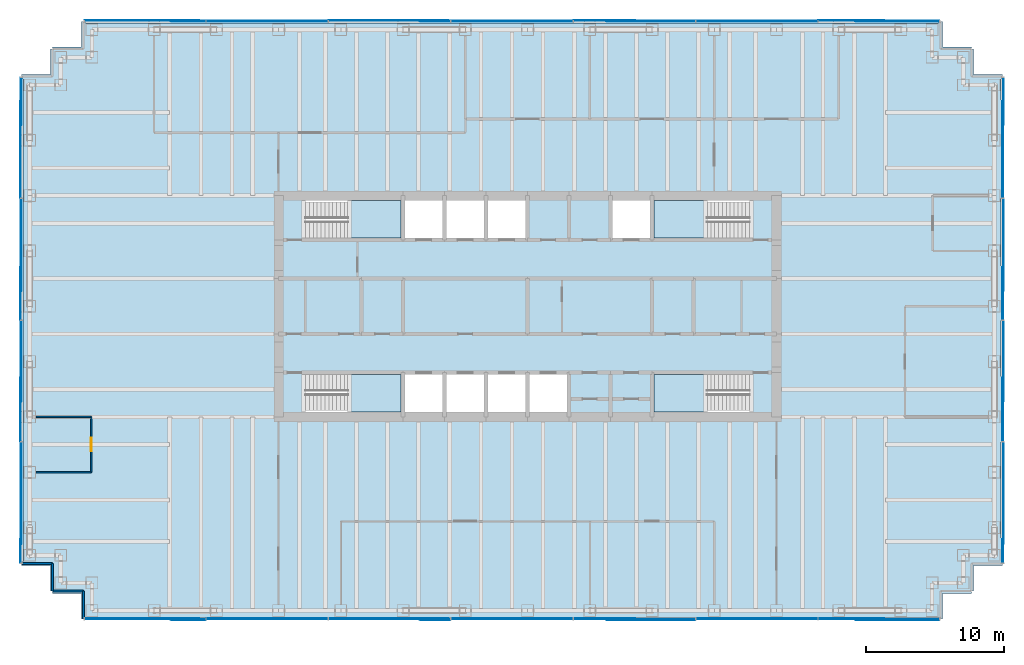
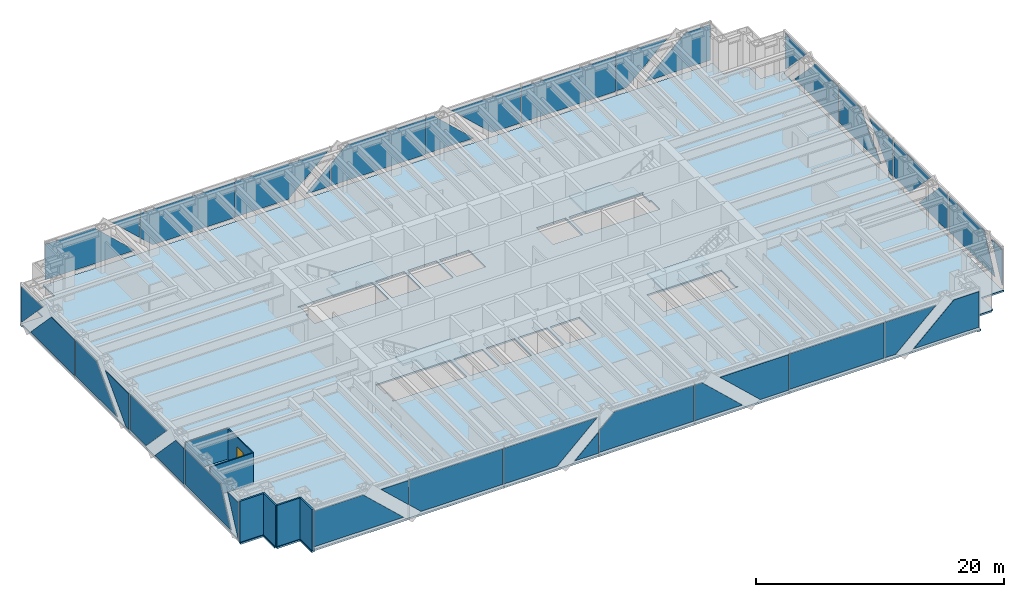
# One storey, part 10 of 15: 38 plates, 7 walls, 5 slabs, 1 door, 1 opening, 8 elements without a shape of their own.
"""IFC4 building model written with IfcOpenShell, lengths in metres."""

from ifc_helpers import new_model, si_unit, direction, frame, frame_2d, origin, origin_2d, place, context, subcontext, project, spatial, polyline, rectangle, outline, extrude, material, layer, layer_set, type_object, element, fill, aggregate, save


model = new_model("IFC4")

# Units and contexts
model_context = context("Model", 3, precision=1e-05, world=origin(), true_north=direction((0.0, 1.0)))
body_context = subcontext(model_context, "Body", "Model", "MODEL_VIEW")
ifc_project = project(units=[si_unit("LENGTHUNIT", "METRE"), si_unit("AREAUNIT", "SQUARE_METRE"), si_unit("VOLUMEUNIT", "CUBIC_METRE"), si_unit("PLANEANGLEUNIT", "RADIAN"), si_unit("MASSUNIT", "GRAM", prefix="KILO")], contexts=[model_context])

# Site, building, storey
site_placement = place(None, origin())
site = spatial("IfcSite", under=ifc_project, at=site_placement, CompositionType="ELEMENT")
building_placement = place(site_placement, origin())
building = spatial("IfcBuilding", under=site, at=building_placement, Name="Rheinbord Bourse Tower", CompositionType="ELEMENT")
storey_placement = place(building_placement, frame((0.0, 0.0, 296.300048828125)))
storey = spatial("IfcBuildingStorey", under=building, at=storey_placement, Name="L67", CompositionType="ELEMENT", Elevation=296.300048828125)

# Slab
ifc_material_1 = material(Name="Concrete C30/37", Category="concrete")
ifc_layer_1 = layer(ifc_material_1, 0.159912109375)
ifc_layer_set_1 = layer_set([ifc_layer_1], Name="COMPOSITE FLOOR SLAB 160")
slab_type_1 = type_object("IfcSlabType", Name="COMPOSITE FLOOR SLAB 160", PredefinedType="FLOOR", material=ifc_layer_set_1)
slab_1_placement = place(storey_placement, frame((0.0, 0.0, -0.16015625)))
element("IfcSlab", 1, at=slab_1_placement, inside=storey, type_object=slab_type_1, Name="Floor slab L67", PredefinedType="FLOOR", context=body_context, shape_type="SweptSolid", body=[
    extrude(outline(polyline([(1.64990234375, 3.39990234375), (1.5, 3.39990234375), (1.5, 5.25), (-0.60009765625, 5.25), (-0.60009765625, 5.550048828125), (-0.5, 5.550048828125), (-0.5, 40.449951171875), (-0.60009765625, 40.449951171875), (-0.60009765625, 40.75), (1.5, 40.75), (1.5, 42.60009765625), (1.64990234375, 42.60009765625), (1.64990234375, 42.75), (3.75, 42.75), (3.75, 44.60009765625), (4.050048828125, 44.60009765625), (4.050048828125, 44.5), (65.699951171875, 44.5), (65.699951171875, 44.60009765625), (66.0, 44.60009765625), (66.0, 42.75), (68.10009765625, 42.75), (68.10009765625, 42.60009765625), (68.25, 42.60009765625), (68.25, 40.75), (70.35009765625, 40.75), (70.35009765625, 40.449951171875), (70.25, 40.449951171875), (70.25, 5.550048828125), (70.35009765625, 5.550048828125), (70.35009765625, 5.25), (68.25, 5.25), (68.25, 3.39990234375), (68.10009765625, 3.39990234375), (68.10009765625, 3.25), (66.0, 3.25), (66.0, 1.39990234375), (65.699951171875, 1.39990234375), (65.699951171875, 1.5), (4.050048828125, 1.5), (4.050048828125, 1.39990234375), (3.75, 1.39990234375), (3.75, 3.25), (1.64990234375, 3.25), (1.64990234375, 3.39990234375)]), holes=[polyline([(19.949951171875, 19.050048828125), (26.85009765625, 19.050048828125), (26.85009765625, 16.35009765625), (19.949951171875, 16.35009765625), (19.949951171875, 16.449951171875), (20.10009765625, 16.449951171875), (20.10009765625, 17.64990234375), (19.949951171875, 17.64990234375), (19.949951171875, 19.050048828125)]), polyline([(19.949951171875, 31.64990234375), (26.85009765625, 31.64990234375), (26.85009765625, 28.949951171875), (19.949951171875, 28.949951171875), (19.949951171875, 30.35009765625), (20.10009765625, 30.35009765625), (20.10009765625, 31.550048828125), (19.949951171875, 31.550048828125), (19.949951171875, 31.64990234375)]), polyline([(52.050048828125, 16.35009765625), (45.14990234375, 16.35009765625), (45.14990234375, 19.050048828125), (52.050048828125, 19.050048828125), (52.050048828125, 17.64990234375), (51.89990234375, 17.64990234375), (51.89990234375, 16.449951171875), (52.050048828125, 16.449951171875), (52.050048828125, 16.35009765625)]), polyline([(52.050048828125, 28.949951171875), (45.14990234375, 28.949951171875), (45.14990234375, 31.64990234375), (52.050048828125, 31.64990234375), (52.050048828125, 31.550048828125), (51.89990234375, 31.550048828125), (51.89990234375, 30.35009765625), (52.050048828125, 30.35009765625), (52.050048828125, 28.949951171875)]), polyline([(27.14990234375, 16.35009765625), (27.14990234375, 19.050048828125), (29.85009765625, 19.050048828125), (29.85009765625, 16.35009765625), (27.14990234375, 16.35009765625)]), polyline([(27.14990234375, 28.949951171875), (27.14990234375, 31.64990234375), (29.85009765625, 31.64990234375), (29.85009765625, 28.949951171875), (27.14990234375, 28.949951171875)]), polyline([(30.14990234375, 16.35009765625), (30.14990234375, 19.050048828125), (32.85009765625, 19.050048828125), (32.85009765625, 16.35009765625), (30.14990234375, 16.35009765625)]), polyline([(30.14990234375, 28.949951171875), (30.14990234375, 31.64990234375), (32.85009765625, 31.64990234375), (32.85009765625, 28.949951171875), (30.14990234375, 28.949951171875)]), polyline([(33.14990234375, 16.35009765625), (33.14990234375, 19.050048828125), (35.85009765625, 19.050048828125), (35.85009765625, 16.35009765625), (33.14990234375, 16.35009765625)]), polyline([(33.14990234375, 28.949951171875), (33.14990234375, 31.64990234375), (35.85009765625, 31.64990234375), (35.85009765625, 28.949951171875), (33.14990234375, 28.949951171875)]), polyline([(36.14990234375, 16.35009765625), (36.14990234375, 19.050048828125), (38.85009765625, 19.050048828125), (38.85009765625, 16.35009765625), (36.14990234375, 16.35009765625)]), polyline([(42.14990234375, 28.949951171875), (42.14990234375, 31.64990234375), (44.85009765625, 31.64990234375), (44.85009765625, 28.949951171875), (42.14990234375, 28.949951171875)])]), origin(), (0.0, 0.0, 1.0), 0.16015625),
])

# Curtain wall, plates
ifc_material_2 = material(Name="Dark glass and black aluminium", Category="aluminium")
curtain_wall_type = type_object("IfcCurtainWallType", Name="CW3 DARK GLASS CURTAIN WALL", PredefinedType="USERDEFINED", material=ifc_material_2)
curtain_wall_1_placement = place(storey_placement, origin())
curtain_wall_1 = element("IfcCurtainWall", 2, at=curtain_wall_1_placement, inside=storey, type_object=curtain_wall_type, Name="Curtain wall CW3 S L67", ObjectType="UNITISED CURTAIN WALL", PredefinedType="USERDEFINED")
ifc_material_3 = material(Name="Dark tinted triple insulating glass", Category="glass")
ifc_layer_2 = layer(ifc_material_3, 0.055908203125)
ifc_layer_set_2 = layer_set([ifc_layer_2], Name="CW3 DARK GLASS PANEL")
plate_type = type_object("IfcPlateType", Name="CW3 DARK GLASS PANEL", PredefinedType="CURTAIN_PANEL", material=ifc_layer_set_2)
plate_1_placement = place(storey_placement, frame((52.574951171875, 1.39990234375, 0.349853515625), z_axis=(0.0, 0.0, 1.0), x_axis=(1.0, 0.0, 0.0)))
plate_1 = element("IfcPlate", 3, at=plate_1_placement, type_object=plate_type, Name="CW3 panel 6.1", PredefinedType="CURTAIN_PANEL", context=body_context, shape_type="SweptSolid", body=[
    extrude(rectangle(XDim=8.784912109375, YDim=0.055908203125, at=origin_2d()), origin(), (0.0, 0.0, 1.0), 3.5),
])
plate_2_placement = place(storey_placement, frame((3.965087890625, 1.3720703125, 0.349853515625), z_axis=(0.0, 1.0, 0.0), x_axis=(0.0, 0.0, 1.0)))
plate_2 = element("IfcPlate", 4, at=plate_2_placement, type_object=plate_type, Name="CW3 glass facet 1", PredefinedType="CURTAIN_PANEL", context=body_context, shape_type="SweptSolid", body=[
    extrude(outline(polyline([(0.0, 0.0), (3.5, 0.0), (3.5, 4.597900390625), (0.0, 8.347900390625), (0.0, 0.0)])), origin(), (0.0, 0.0, 1.0), 0.055908203125),
])
plate_3_placement = place(storey_placement, frame((12.717041015625, 1.31103515625, 3.849853515625), z_axis=(0.0, 1.0, 0.0), x_axis=(0.0, 0.0, -1.0)))
plate_3 = element("IfcPlate", 5, at=plate_3_placement, type_object=plate_type, Name="CW3 glass facet 2", PredefinedType="CURTAIN_PANEL", context=body_context, shape_type="SweptSolid", body=[
    extrude(outline(polyline([(0.0, 0.0), (2.36181640625, 0.0), (0.0, 2.530029296875), (0.0, 0.0)])), origin(), (0.0, 0.0, 1.0), 0.055908203125),
])
plate_4_placement = place(storey_placement, frame((12.782958984375, 1.3720703125, 3.849853515625), z_axis=(0.0, 1.0, 0.0), x_axis=(1.0, 0.0, 0.0)))
plate_4 = element("IfcPlate", 6, at=plate_4_placement, type_object=plate_type, Name="CW3 glass facet 1", PredefinedType="CURTAIN_PANEL", context=body_context, shape_type="SweptSolid", body=[
    extrude(outline(polyline([(0.0, 0.0), (8.783935546875, 0.0), (8.783935546875, 3.5), (1.154052734375, 3.5), (0.0, 2.4228515625), (0.0, 0.0)])), origin(), (0.0, 0.0, 1.0), 0.055908203125),
])
plate_5_placement = place(storey_placement, frame((21.633056640625, 1.3720703125, 0.349853515625), z_axis=(0.0, 1.0, 0.0), x_axis=(0.0, 0.0, 1.0)))
plate_5 = element("IfcPlate", 7, at=plate_5_placement, type_object=plate_type, Name="CW3 glass facet 1", PredefinedType="CURTAIN_PANEL", context=body_context, shape_type="SweptSolid", body=[
    extrude(outline(polyline([(0.0, 0.0), (3.5, 0.0), (3.5, 8.679931640625), (0.0, 4.929931640625), (0.0, 0.0)])), origin(), (0.0, 0.0, 1.0), 0.055908203125),
])
plate_6_placement = place(storey_placement, frame((30.4169921875, 1.31103515625, 0.349853515625), z_axis=(0.0, 1.0, 0.0), x_axis=(-1.0, 0.0, 0.0)))
plate_6 = element("IfcPlate", 8, at=plate_6_placement, type_object=plate_type, Name="CW3 glass facet 2", PredefinedType="CURTAIN_PANEL", context=body_context, shape_type="SweptSolid", body=[
    extrude(outline(polyline([(0.0, 0.0), (2.22998046875, 0.0), (0.0, 2.08203125), (0.0, 0.0)])), origin(), (0.0, 0.0, 1.0), 0.055908203125),
])
plate_7_placement = place(storey_placement, frame((39.26806640625, 1.3720703125, 3.849853515625), z_axis=(0.0, 1.0, 0.0), x_axis=(0.0, 0.0, -1.0)))
plate_7 = element("IfcPlate", 9, at=plate_7_placement, type_object=plate_type, Name="CW3 glass facet 1", PredefinedType="CURTAIN_PANEL", context=body_context, shape_type="SweptSolid", body=[
    extrude(outline(polyline([(0.0, 0.0), (3.5, 0.0), (3.5, 8.7861328125), (1.35693359375, 8.7861328125), (0.0, 7.3310546875), (0.0, 0.0)])), origin(), (0.0, 0.0, 1.0), 0.055908203125),
])
plate_8_placement = place(storey_placement, frame((39.3330078125, 1.3720703125, 0.349853515625), z_axis=(0.0, 1.0, 0.0), x_axis=(0.0, 0.0, 1.0)))
plate_8 = element("IfcPlate", 10, at=plate_8_placement, type_object=plate_type, Name="CW3 glass facet 1", PredefinedType="CURTAIN_PANEL", context=body_context, shape_type="SweptSolid", body=[
    extrude(outline(polyline([(0.0, 0.0), (3.5, 0.0), (3.5, 0.72998046875), (0.0, 4.47998046875), (0.0, 0.0)])), origin(), (0.0, 0.0, 1.0), 0.055908203125),
])
plate_9_placement = place(storey_placement, frame((48.116943359375, 1.31103515625, 3.849853515625), z_axis=(0.0, 1.0, 0.0), x_axis=(0.0, 0.0, -1.0)))
plate_9 = element("IfcPlate", 11, at=plate_9_placement, type_object=plate_type, Name="CW3 glass facet 2", PredefinedType="CURTAIN_PANEL", context=body_context, shape_type="SweptSolid", body=[
    extrude(outline(polyline([(0.0, 0.0), (3.5, 0.0), (3.5, 2.679931640625), (0.0, 6.429931640625), (0.0, 0.0)])), origin(), (0.0, 0.0, 1.0), 0.055908203125),
])
plate_10_placement = place(storey_placement, frame((57.031982421875, 1.3720703125, 0.349853515625), z_axis=(0.0, 1.0, 0.0), x_axis=(0.0, 0.0, 1.0)))
plate_10 = element("IfcPlate", 12, at=plate_10_placement, type_object=plate_type, Name="CW3 glass facet 1", PredefinedType="CURTAIN_PANEL", context=body_context, shape_type="SweptSolid", body=[
    extrude(outline(polyline([(0.0, 0.0), (3.5, 0.0), (3.5, 4.781005859375), (0.0, 1.031005859375), (0.0, 0.0)])), origin(), (0.0, 0.0, 1.0), 0.055908203125),
])
plate_11_placement = place(storey_placement, frame((65.784912109375, 1.31103515625, 3.849853515625), z_axis=(0.0, 1.0, 0.0), x_axis=(0.0, 0.0, -1.0)))
plate_11 = element("IfcPlate", 13, at=plate_11_placement, type_object=plate_type, Name="CW3 glass facet 2", PredefinedType="CURTAIN_PANEL", context=body_context, shape_type="SweptSolid", body=[
    extrude(outline(polyline([(0.0, 0.0), (3.5, 0.0), (3.5, 6.097900390625), (0.0, 2.347900390625), (0.0, 0.0)])), origin(), (0.0, 0.0, 1.0), 0.055908203125),
])
aggregate(curtain_wall_1, [plate_1, plate_2, plate_3, plate_4, plate_5, plate_6, plate_7, plate_8, plate_9, plate_10, plate_11])

curtain_wall_2_placement = place(storey_placement, origin())
curtain_wall_2 = element("IfcCurtainWall", 14, at=curtain_wall_2_placement, inside=storey, type_object=curtain_wall_type, Name="Curtain wall CW3 E L67", ObjectType="UNITISED CURTAIN WALL", PredefinedType="USERDEFINED")
plate_12_placement = place(storey_placement, frame((70.3779296875, 5.465087890625, 0.349853515625), z_axis=(-1.0, 0.0, 0.0), x_axis=(0.0, 0.0, 1.0)))
plate_12 = element("IfcPlate", 15, at=plate_12_placement, type_object=plate_type, Name="CW3 glass facet 1", PredefinedType="CURTAIN_PANEL", context=body_context, shape_type="SweptSolid", body=[
    extrude(outline(polyline([(0.0, 0.0), (3.5, 0.0), (3.5, 1.7548828125), (0.0, 0.087890625), (0.0, 0.0)])), origin(), (0.0, 0.0, 1.0), 0.055908203125),
])
plate_13_placement = place(storey_placement, frame((70.43896484375, 14.16796875, 3.849853515625), z_axis=(-1.0, 0.0, 0.0), x_axis=(0.0, 0.0, -1.0)))
plate_13 = element("IfcPlate", 16, at=plate_13_placement, type_object=plate_type, Name="CW3 glass facet 2", PredefinedType="CURTAIN_PANEL", context=body_context, shape_type="SweptSolid", body=[
    extrude(outline(polyline([(0.0, 0.0), (3.5, 0.0), (3.5, 7.387939453125), (0.0, 5.720947265625), (0.0, 0.0)])), origin(), (0.0, 0.0, 1.0), 0.055908203125),
])
plate_14_placement = place(storey_placement, frame((70.3779296875, 14.23193359375, 0.349853515625), z_axis=(-1.0, 0.0, 0.0), x_axis=(0.0, 0.0, 1.0)))
plate_14 = element("IfcPlate", 17, at=plate_14_placement, type_object=plate_type, Name="CW3 glass facet 1", PredefinedType="CURTAIN_PANEL", context=body_context, shape_type="SweptSolid", body=[
    extrude(outline(polyline([(0.0, 0.0), (3.5, 0.0), (3.5, 1.336181640625), (0.0, 4.670166015625), (0.0, 0.0)])), origin(), (0.0, 0.0, 1.0), 0.055908203125),
])
plate_15_placement = place(storey_placement, frame((70.43896484375, 22.968017578125, 3.849853515625), z_axis=(-1.0, 0.0, 0.0), x_axis=(0.0, 0.0, -1.0)))
plate_15 = element("IfcPlate", 18, at=plate_15_placement, type_object=plate_type, Name="CW3 glass facet 2", PredefinedType="CURTAIN_PANEL", context=body_context, shape_type="SweptSolid", body=[
    extrude(outline(polyline([(0.0, 0.0), (3.5, 0.0), (3.5, 2.5361328125), (0.0, 5.8701171875), (0.0, 0.0)])), origin(), (0.0, 0.0, 1.0), 0.055908203125),
])
plate_16_placement = place(storey_placement, frame((70.3779296875, 23.031982421875, 0.349853515625), z_axis=(-1.0, 0.0, 0.0), x_axis=(0.0, 0.0, 1.0)))
plate_16 = element("IfcPlate", 19, at=plate_16_placement, type_object=plate_type, Name="CW3 glass facet 1", PredefinedType="CURTAIN_PANEL", context=body_context, shape_type="SweptSolid", body=[
    extrude(outline(polyline([(0.0, 0.0), (3.5, 0.0), (3.5, 3.8701171875), (0.0, 0.5361328125), (0.0, 0.0)])), origin(), (0.0, 0.0, 1.0), 0.055908203125),
])
plate_17_placement = place(storey_placement, frame((70.43896484375, 31.76708984375, 3.849853515625), z_axis=(-1.0, 0.0, 0.0), x_axis=(0.0, 0.0, -1.0)))
plate_17 = element("IfcPlate", 20, at=plate_17_placement, type_object=plate_type, Name="CW3 glass facet 2", PredefinedType="CURTAIN_PANEL", context=body_context, shape_type="SweptSolid", body=[
    extrude(outline(polyline([(0.0, 0.0), (3.5, 0.0), (3.5, 6.669189453125), (0.0, 3.335205078125), (0.0, 0.0)])), origin(), (0.0, 0.0, 1.0), 0.055908203125),
])
plate_18_placement = place(storey_placement, frame((70.3779296875, 31.8330078125, 0.349853515625), z_axis=(-1.0, 0.0, 0.0), x_axis=(0.0, 0.0, 1.0)))
plate_18 = element("IfcPlate", 21, at=plate_18_placement, type_object=plate_type, Name="CW3 glass facet 1", PredefinedType="CURTAIN_PANEL", context=body_context, shape_type="SweptSolid", body=[
    extrude(outline(polyline([(0.0, 0.0), (3.5, 0.0), (3.5, 3.735107421875), (0.0, 7.069091796875), (0.0, 0.0)])), origin(), (0.0, 0.0, 1.0), 0.055908203125),
])
plate_19_placement = place(storey_placement, frame((70.43896484375, 40.534912109375, 3.849853515625), z_axis=(-1.0, 0.0, 0.0), x_axis=(0.0, 0.0, -1.0)))
plate_19 = element("IfcPlate", 22, at=plate_19_placement, type_object=plate_type, Name="CW3 glass facet 2", PredefinedType="CURTAIN_PANEL", context=body_context, shape_type="SweptSolid", body=[
    extrude(outline(polyline([(0.0, 0.0), (3.5, 0.0), (3.5, 0.10302734375), (0.0, 3.43701171875), (0.0, 0.0)])), origin(), (0.0, 0.0, 1.0), 0.055908203125),
])
aggregate(curtain_wall_2, [plate_12, plate_13, plate_14, plate_15, plate_16, plate_17, plate_18, plate_19])

curtain_wall_3_placement = place(storey_placement, origin())
curtain_wall_3 = element("IfcCurtainWall", 23, at=curtain_wall_3_placement, inside=storey, type_object=curtain_wall_type, Name="Curtain wall CW3 N L67", ObjectType="UNITISED CURTAIN WALL", PredefinedType="USERDEFINED")
plate_20_placement = place(storey_placement, frame((52.574951171875, 44.60009765625, 0.349853515625), z_axis=(0.0, 0.0, 1.0), x_axis=(-1.0, 0.0, 0.0)))
plate_20 = element("IfcPlate", 24, at=plate_20_placement, type_object=plate_type, Name="CW3 panel 2.1", PredefinedType="CURTAIN_PANEL", context=body_context, shape_type="SweptSolid", body=[
    extrude(rectangle(XDim=8.784912109375, YDim=0.055908203125, at=origin_2d()), origin(), (0.0, 0.0, 1.0), 3.5),
])
plate_21_placement = place(storey_placement, frame((65.784912109375, 44.6279296875, 0.349853515625), z_axis=(0.0, -1.0, 0.0), x_axis=(0.0, 0.0, 1.0)))
plate_21 = element("IfcPlate", 25, at=plate_21_placement, type_object=plate_type, Name="CW3 glass facet 1", PredefinedType="CURTAIN_PANEL", context=body_context, shape_type="SweptSolid", body=[
    extrude(outline(polyline([(0.0, 0.0), (3.5, 0.0), (3.5, 2.347900390625), (0.0, 6.097900390625), (0.0, 0.0)])), origin(), (0.0, 0.0, 1.0), 0.055908203125),
])
plate_22_placement = place(storey_placement, frame((57.031982421875, 44.68896484375, 3.849853515625), z_axis=(0.0, -1.0, 0.0), x_axis=(0.0, 0.0, -1.0)))
plate_22 = element("IfcPlate", 26, at=plate_22_placement, type_object=plate_type, Name="CW3 glass facet 2", PredefinedType="CURTAIN_PANEL", context=body_context, shape_type="SweptSolid", body=[
    extrude(outline(polyline([(0.0, 0.0), (3.5, 0.0), (3.5, 1.031005859375), (0.0, 4.781005859375), (0.0, 0.0)])), origin(), (0.0, 0.0, 1.0), 0.055908203125),
])
plate_23_placement = place(storey_placement, frame((48.116943359375, 44.6279296875, 0.349853515625), z_axis=(0.0, -1.0, 0.0), x_axis=(0.0, 0.0, 1.0)))
plate_23 = element("IfcPlate", 27, at=plate_23_placement, type_object=plate_type, Name="CW3 glass facet 1", PredefinedType="CURTAIN_PANEL", context=body_context, shape_type="SweptSolid", body=[
    extrude(outline(polyline([(0.0, 0.0), (3.5, 0.0), (3.5, 6.429931640625), (0.0, 2.679931640625), (0.0, 0.0)])), origin(), (0.0, 0.0, 1.0), 0.055908203125),
])
plate_24_placement = place(storey_placement, frame((39.33203125, 44.68896484375, 3.849853515625), z_axis=(0.0, -1.0, 0.0), x_axis=(0.0, 0.0, -1.0)))
plate_24 = element("IfcPlate", 28, at=plate_24_placement, type_object=plate_type, Name="CW3 glass facet 2", PredefinedType="CURTAIN_PANEL", context=body_context, shape_type="SweptSolid", body=[
    extrude(outline(polyline([(0.0, 0.0), (3.5, 0.0), (3.5, 4.48095703125), (0.0, 0.73095703125), (0.0, 0.0)])), origin(), (0.0, 0.0, 1.0), 0.055908203125),
])
plate_25_placement = place(storey_placement, frame((30.48291015625, 44.6279296875, 0.349853515625), z_axis=(0.0, -1.0, 0.0), x_axis=(1.0, 0.0, 0.0)))
plate_25 = element("IfcPlate", 29, at=plate_25_placement, type_object=plate_type, Name="CW3 glass facet 1", PredefinedType="CURTAIN_PANEL", context=body_context, shape_type="SweptSolid", body=[
    extrude(outline(polyline([(0.0, 0.0), (8.7841796875, 0.0), (8.7841796875, 3.5), (1.4541015625, 3.5), (0.0, 2.14306640625), (0.0, 0.0)])), origin(), (0.0, 0.0, 1.0), 0.055908203125),
])
plate_26_placement = place(storey_placement, frame((30.4169921875, 44.6279296875, 0.349853515625), z_axis=(0.0, -1.0, 0.0), x_axis=(0.0, 0.0, 1.0)))
plate_26 = element("IfcPlate", 30, at=plate_26_placement, type_object=plate_type, Name="CW3 glass facet 1", PredefinedType="CURTAIN_PANEL", context=body_context, shape_type="SweptSolid", body=[
    extrude(outline(polyline([(0.0, 0.0), (2.08203125, 0.0), (0.0, 2.22998046875), (0.0, 0.0)])), origin(), (0.0, 0.0, 1.0), 0.055908203125),
])
plate_27_placement = place(storey_placement, frame((21.632080078125, 44.68896484375, 3.849853515625), z_axis=(0.0, -1.0, 0.0), x_axis=(0.0, 0.0, -1.0)))
plate_27 = element("IfcPlate", 31, at=plate_27_placement, type_object=plate_type, Name="CW3 glass facet 2", PredefinedType="CURTAIN_PANEL", context=body_context, shape_type="SweptSolid", body=[
    extrude(outline(polyline([(0.0, 0.0), (3.5, 0.0), (3.5, 4.930908203125), (0.0, 8.680908203125), (0.0, 0.0)])), origin(), (0.0, 0.0, 1.0), 0.055908203125),
])
plate_28_placement = place(storey_placement, frame((21.56689453125, 44.6279296875, 0.349853515625), z_axis=(0.0, -1.0, 0.0), x_axis=(0.0, 0.0, 1.0)))
plate_28 = element("IfcPlate", 32, at=plate_28_placement, type_object=plate_type, Name="CW3 glass facet 1", PredefinedType="CURTAIN_PANEL", context=body_context, shape_type="SweptSolid", body=[
    extrude(outline(polyline([(0.0, 0.0), (3.5, 0.0), (3.5, 8.784912109375), (1.0771484375, 8.784912109375), (0.0, 7.6298828125), (0.0, 0.0)])), origin(), (0.0, 0.0, 1.0), 0.055908203125),
])
plate_29_placement = place(storey_placement, frame((12.718017578125, 44.6279296875, 3.849853515625), z_axis=(0.0, -1.0, 0.0), x_axis=(-1.0, 0.0, 0.0)))
plate_29 = element("IfcPlate", 33, at=plate_29_placement, type_object=plate_type, Name="CW3 glass facet 1", PredefinedType="CURTAIN_PANEL", context=body_context, shape_type="SweptSolid", body=[
    extrude(outline(polyline([(0.0, 0.0), (2.531005859375, 0.0), (0.0, 2.36181640625), (0.0, 0.0)])), origin(), (0.0, 0.0, 1.0), 0.055908203125),
])
plate_30_placement = place(storey_placement, frame((3.965087890625, 44.68896484375, 3.849853515625), z_axis=(0.0, -1.0, 0.0), x_axis=(0.0, 0.0, -1.0)))
plate_30 = element("IfcPlate", 34, at=plate_30_placement, type_object=plate_type, Name="CW3 glass facet 2", PredefinedType="CURTAIN_PANEL", context=body_context, shape_type="SweptSolid", body=[
    extrude(outline(polyline([(0.0, 0.0), (3.5, 0.0), (3.5, 8.347900390625), (0.0, 4.597900390625), (0.0, 0.0)])), origin(), (0.0, 0.0, 1.0), 0.055908203125),
])
aggregate(curtain_wall_3, [plate_20, plate_21, plate_22, plate_23, plate_24, plate_25, plate_26, plate_27, plate_28, plate_29, plate_30])

curtain_wall_4_placement = place(storey_placement, origin())
curtain_wall_4 = element("IfcCurtainWall", 35, at=curtain_wall_4_placement, inside=storey, type_object=curtain_wall_type, Name="Curtain wall CW3 W L67", ObjectType="UNITISED CURTAIN WALL", PredefinedType="USERDEFINED")
plate_31_placement = place(storey_placement, frame((-0.6279296875, 40.534912109375, 0.349853515625), z_axis=(1.0, 0.0, 0.0), x_axis=(0.0, 0.0, 1.0)))
plate_31 = element("IfcPlate", 36, at=plate_31_placement, type_object=plate_type, Name="CW3 glass facet 1", PredefinedType="CURTAIN_PANEL", context=body_context, shape_type="SweptSolid", body=[
    extrude(outline(polyline([(0.0, 0.0), (3.5, 0.0), (3.5, 3.43701171875), (0.0, 0.10302734375), (0.0, 0.0)])), origin(), (0.0, 0.0, 1.0), 0.055908203125),
])
plate_32_placement = place(storey_placement, frame((-0.68896484375, 31.8330078125, 3.849853515625), z_axis=(1.0, 0.0, 0.0), x_axis=(0.0, 0.0, -1.0)))
plate_32 = element("IfcPlate", 37, at=plate_32_placement, type_object=plate_type, Name="CW3 glass facet 2", PredefinedType="CURTAIN_PANEL", context=body_context, shape_type="SweptSolid", body=[
    extrude(outline(polyline([(0.0, 0.0), (3.5, 0.0), (3.5, 7.069091796875), (0.0, 3.735107421875), (0.0, 0.0)])), origin(), (0.0, 0.0, 1.0), 0.055908203125),
])
plate_33_placement = place(storey_placement, frame((-0.6279296875, 31.76708984375, 0.349853515625), z_axis=(1.0, 0.0, 0.0), x_axis=(0.0, 0.0, 1.0)))
plate_33 = element("IfcPlate", 38, at=plate_33_placement, type_object=plate_type, Name="CW3 glass facet 1", PredefinedType="CURTAIN_PANEL", context=body_context, shape_type="SweptSolid", body=[
    extrude(outline(polyline([(0.0, 0.0), (3.5, 0.0), (3.5, 3.335205078125), (0.0, 6.669189453125), (0.0, 0.0)])), origin(), (0.0, 0.0, 1.0), 0.055908203125),
])
plate_34_placement = place(storey_placement, frame((-0.68896484375, 23.031982421875, 3.849853515625), z_axis=(1.0, 0.0, 0.0), x_axis=(0.0, 0.0, -1.0)))
plate_34 = element("IfcPlate", 39, at=plate_34_placement, type_object=plate_type, Name="CW3 glass facet 2", PredefinedType="CURTAIN_PANEL", context=body_context, shape_type="SweptSolid", body=[
    extrude(outline(polyline([(0.0, 0.0), (3.5, 0.0), (3.5, 0.5361328125), (0.0, 3.8701171875), (0.0, 0.0)])), origin(), (0.0, 0.0, 1.0), 0.055908203125),
])
plate_35_placement = place(storey_placement, frame((-0.6279296875, 22.968017578125, 0.349853515625), z_axis=(1.0, 0.0, 0.0), x_axis=(0.0, 0.0, 1.0)))
plate_35 = element("IfcPlate", 40, at=plate_35_placement, type_object=plate_type, Name="CW3 glass facet 1", PredefinedType="CURTAIN_PANEL", context=body_context, shape_type="SweptSolid", body=[
    extrude(outline(polyline([(0.0, 0.0), (3.5, 0.0), (3.5, 5.8701171875), (0.0, 2.5361328125), (0.0, 0.0)])), origin(), (0.0, 0.0, 1.0), 0.055908203125),
])
plate_36_placement = place(storey_placement, frame((-0.68896484375, 14.23291015625, 3.849853515625), z_axis=(1.0, 0.0, 0.0), x_axis=(0.0, 0.0, -1.0)))
plate_36 = element("IfcPlate", 41, at=plate_36_placement, type_object=plate_type, Name="CW3 glass facet 2", PredefinedType="CURTAIN_PANEL", context=body_context, shape_type="SweptSolid", body=[
    extrude(outline(polyline([(0.0, 0.0), (3.5, 0.0), (3.5, 4.669189453125), (0.0, 1.335205078125), (0.0, 0.0)])), origin(), (0.0, 0.0, 1.0), 0.055908203125),
])
plate_37_placement = place(storey_placement, frame((-0.6279296875, 14.1669921875, 0.349853515625), z_axis=(1.0, 0.0, 0.0), x_axis=(0.0, 0.0, 1.0)))
plate_37 = element("IfcPlate", 42, at=plate_37_placement, type_object=plate_type, Name="CW3 glass facet 1", PredefinedType="CURTAIN_PANEL", context=body_context, shape_type="SweptSolid", body=[
    extrude(outline(polyline([(0.0, 0.0), (3.5, 0.0), (3.5, 5.719970703125), (0.0, 7.386962890625), (0.0, 0.0)])), origin(), (0.0, 0.0, 1.0), 0.055908203125),
])
plate_38_placement = place(storey_placement, frame((-0.68896484375, 5.465087890625, 3.849853515625), z_axis=(1.0, 0.0, 0.0), x_axis=(0.0, 0.0, -1.0)))
plate_38 = element("IfcPlate", 43, at=plate_38_placement, type_object=plate_type, Name="CW3 glass facet 2", PredefinedType="CURTAIN_PANEL", context=body_context, shape_type="SweptSolid", body=[
    extrude(outline(polyline([(0.0, 0.0), (3.5, 0.0), (3.5, 0.087890625), (0.0, 1.7548828125), (0.0, 0.0)])), origin(), (0.0, 0.0, 1.0), 0.055908203125),
])
aggregate(curtain_wall_4, [plate_31, plate_32, plate_33, plate_34, plate_35, plate_36, plate_37, plate_38])

# Stair, slab
ifc_material_4 = material(Name="Concrete C30/37", Category="concrete")
stair_type = type_object("IfcStairType", Name="CORE STAIR HALF TURN 4200", PredefinedType="HALF_TURN_STAIR", material=ifc_material_4)
stair_1_placement = place(storey_placement, origin())
stair_1 = element("IfcStair", 44, at=stair_1_placement, inside=storey, type_object=stair_type, Name="Stair ST1 L67, type CS6", PredefinedType="HALF_TURN_STAIR")
ifc_material_5 = material(Name="Concrete C30/37", Category="concrete")
ifc_layer_3 = layer(ifc_material_5, 0.199951171875)
ifc_layer_set_3 = layer_set([ifc_layer_3], Name="STAIR LANDING 200")
slab_type_2 = type_object("IfcSlabType", Name="STAIR LANDING 200", PredefinedType="LANDING", material=ifc_layer_set_3)
slab_2_placement = place(storey_placement, frame((0.0, 0.0, 1.89990234375)))
slab_2 = element("IfcSlab", 45, at=slab_2_placement, type_object=slab_type_2, Name="Half landing ST1 L67", PredefinedType="LANDING", context=body_context, shape_type="SweptSolid", body=[
    extrude(outline(polyline([(23.030029296875, 16.35009765625), (26.85009765625, 16.35009765625), (26.85009765625, 19.050048828125), (21.748046875, 19.050048828125), (21.748046875, 17.85009765625), (23.030029296875, 17.85009765625), (23.030029296875, 16.35009765625)])), origin(), (0.0, 0.0, 1.0), 0.199951171875),
])
aggregate(stair_1, [slab_2])

stair_2_placement = place(storey_placement, origin())
stair_2 = element("IfcStair", 46, at=stair_2_placement, inside=storey, type_object=stair_type, Name="Stair ST2 L67, type CS6", PredefinedType="HALF_TURN_STAIR")
slab_3_placement = place(storey_placement, frame((0.0, 0.0, 1.89990234375)))
slab_3 = element("IfcSlab", 47, at=slab_3_placement, type_object=slab_type_2, Name="Half landing ST2 L67", PredefinedType="LANDING", context=body_context, shape_type="SweptSolid", body=[
    extrude(outline(polyline([(21.748046875, 28.949951171875), (26.85009765625, 28.949951171875), (26.85009765625, 31.64990234375), (23.030029296875, 31.64990234375), (23.030029296875, 30.14990234375), (21.748046875, 30.14990234375), (21.748046875, 28.949951171875)])), origin(), (0.0, 0.0, 1.0), 0.199951171875),
])
aggregate(stair_2, [slab_3])

stair_3_placement = place(storey_placement, origin())
stair_3 = element("IfcStair", 48, at=stair_3_placement, inside=storey, type_object=stair_type, Name="Stair ST3 L67, type CS6", PredefinedType="HALF_TURN_STAIR")
slab_4_placement = place(storey_placement, frame((0.0, 0.0, 1.89990234375)))
slab_4 = element("IfcSlab", 49, at=slab_4_placement, type_object=slab_type_2, Name="Half landing ST3 L67", PredefinedType="LANDING", context=body_context, shape_type="SweptSolid", body=[
    extrude(outline(polyline([(45.14990234375, 16.35009765625), (48.969970703125, 16.35009765625), (48.969970703125, 17.85009765625), (50.251953125, 17.85009765625), (50.251953125, 19.050048828125), (45.14990234375, 19.050048828125), (45.14990234375, 16.35009765625)])), origin(), (0.0, 0.0, 1.0), 0.199951171875),
])
aggregate(stair_3, [slab_4])

stair_4_placement = place(storey_placement, origin())
stair_4 = element("IfcStair", 50, at=stair_4_placement, inside=storey, type_object=stair_type, Name="Stair ST4 L67, type CS6", PredefinedType="HALF_TURN_STAIR")
slab_5_placement = place(storey_placement, frame((0.0, 0.0, 1.89990234375)))
slab_5 = element("IfcSlab", 51, at=slab_5_placement, type_object=slab_type_2, Name="Half landing ST4 L67", PredefinedType="LANDING", context=body_context, shape_type="SweptSolid", body=[
    extrude(outline(polyline([(45.14990234375, 28.949951171875), (50.251953125, 28.949951171875), (50.251953125, 30.14990234375), (48.969970703125, 30.14990234375), (48.969970703125, 31.64990234375), (45.14990234375, 31.64990234375), (45.14990234375, 28.949951171875)])), origin(), (0.0, 0.0, 1.0), 0.199951171875),
])
aggregate(stair_4, [slab_5])

# Walls
ifc_material_6 = material(Name="Black metal rainscreen panel", Category="aluminium")
ifc_layer_4 = layer(ifc_material_6, 0.14990234375)
ifc_layer_set_4 = layer_set([ifc_layer_4], Name="CORNER PIER CLADDING 150")
wall_type_1 = type_object("IfcWallType", Name="CORNER PIER CLADDING 150", PredefinedType="ELEMENTEDWALL", material=ifc_layer_set_4)
wall_1_placement = place(storey_placement, frame((-0.60009765625, 5.39990234375, 0.0), z_axis=(0.0, 0.0, 1.0), x_axis=(1.0, 0.0, 0.0)))
element("IfcWall", 52, at=wall_1_placement, inside=storey, type_object=wall_type_1, Name="Corner pier cladding L67 17", PredefinedType="ELEMENTEDWALL", context=body_context, shape_type="SweptSolid", body=[
    extrude(rectangle(XDim=2.25, YDim=0.14990234375, at=frame_2d((1.125, 0.0))), origin(), (0.0, 0.0, 1.0), 4.0400390625),
])
wall_2_placement = place(storey_placement, frame((1.64990234375, 5.39990234375, 0.0), z_axis=(0.0, 0.0, 1.0), x_axis=(0.0, -1.0, 0.0)))
element("IfcWall", 53, at=wall_2_placement, inside=storey, type_object=wall_type_1, Name="Corner pier cladding L67 18", PredefinedType="ELEMENTEDWALL", context=body_context, shape_type="SweptSolid", body=[
    extrude(rectangle(XDim=2.0, YDim=0.14990234375, at=frame_2d((1.0, 0.0))), origin(), (0.0, 0.0, 1.0), 4.0400390625),
])
wall_3_placement = place(storey_placement, frame((1.64990234375, 3.39990234375, 0.0), z_axis=(0.0, 0.0, 1.0), x_axis=(1.0, 0.0, 0.0)))
element("IfcWall", 54, at=wall_3_placement, inside=storey, type_object=wall_type_1, Name="Corner pier cladding L67 19", PredefinedType="ELEMENTEDWALL", context=body_context, shape_type="SweptSolid", body=[
    extrude(rectangle(XDim=2.25, YDim=0.14990234375, at=frame_2d((1.125, 0.0))), origin(), (0.0, 0.0, 1.0), 4.0400390625),
])
wall_4_placement = place(storey_placement, frame((3.89990234375, 3.39990234375, 0.0), z_axis=(0.0, 0.0, 1.0), x_axis=(0.0, -1.0, 0.0)))
element("IfcWall", 55, at=wall_4_placement, inside=storey, type_object=wall_type_1, Name="Corner pier cladding L67 20", PredefinedType="ELEMENTEDWALL", context=body_context, shape_type="SweptSolid", body=[
    extrude(rectangle(XDim=2.0, YDim=0.14990234375, at=frame_2d((1.0, 0.0))), origin(), (0.0, 0.0, 1.0), 4.0400390625),
])
ifc_material_7 = material(Name="Toughened laminated glass partition", Category="glass")
ifc_layer_5 = layer(ifc_material_7, 0.10009765625)
ifc_layer_set_5 = layer_set([ifc_layer_5], Name="GLAZED PARTITION 100")
wall_type_2 = type_object("IfcWallType", Name="GLAZED PARTITION 100", PredefinedType="PARTITIONING", material=ifc_layer_set_5)
for number, where, z_axis, x_axis, name in (
    (56, (0.449951171875, 12.0, 0.0), (0.0, 0.0, 1.0), (1.0, 0.0, 0.0), "Partition L67-03"),
    (57, (0.449951171875, 16.0, 0.0), (0.0, 0.0, 1.0), (1.0, 0.0, 0.0), "Partition L67-04"),
):
    element("IfcWall", number, at=place(storey_placement, frame(where, z_axis=z_axis, x_axis=x_axis)), inside=storey, type_object=wall_type_2, Name=name, PredefinedType="PARTITIONING", context=body_context, shape_type="SweptSolid", body=[
        extrude(rectangle(XDim=4.0, YDim=0.10009765625, at=frame_2d((2.0, 0.0))), origin(), (0.0, 0.0, 1.0), 3.0),
    ])

# Wall, opening, door
wall_5_placement = place(storey_placement, frame((4.449951171875, 12.0, 0.0), z_axis=(0.0, 0.0, 1.0), x_axis=(0.0, 1.0, 0.0)))
wall_5 = element("IfcWall", 58, at=wall_5_placement, inside=storey, type_object=wall_type_2, Name="Partition L67-11", PredefinedType="PARTITIONING", context=body_context, shape_type="SweptSolid", body=[
    extrude(rectangle(XDim=4.0, YDim=0.10009765625, at=frame_2d((2.0, 0.0))), origin(), (0.0, 0.0, 1.0), 3.0),
])
opening_placement = place(wall_5_placement, frame((1.5, 0.0, 0.0)))
opening = element("IfcOpeningElement", 59, at=opening_placement, cuts=wall_5, Name="Opening 67D03", PredefinedType="OPENING", context=body_context, shape_type="SweptSolid", body=[
    extrude(rectangle(XDim=1.0, YDim=2.10009765625, at=frame_2d((0.5, 1.050048828125))), frame((0.0, 0.06005859375, 0.0), z_axis=(0.0, -1.0, 0.0), x_axis=(1.0, 0.0, 0.0)), (0.0, 0.0, 1.0), 0.1201171875),
])
ifc_material_8 = material(Name="Timber door", Category="wood")
door_type = type_object("IfcDoorType", Name="ROOM DOOR 1000", OperationType="SINGLE_SWING_LEFT", PredefinedType="DOOR", material=ifc_material_8)
door_placement = place(opening_placement, origin())
door = element("IfcDoor", 60, at=door_placement, inside=storey, type_object=door_type, Name="Quiet room door L67", OperationType="SINGLE_SWING_LEFT", OverallHeight=2.10009765625, OverallWidth=1.0, PredefinedType="DOOR", context=body_context, shape_type="SweptSolid", body=[
    extrude(rectangle(XDim=1.0, YDim=2.10009765625, at=frame_2d((0.5, 1.050048828125))), frame((0.0, 0.02490234375, 0.0), z_axis=(0.0, -1.0, 0.0), x_axis=(1.0, 0.0, 0.0)), (0.0, 0.0, 1.0), 0.050048828125),
])
fill(opening, door)

save(model, "model.ifc")
